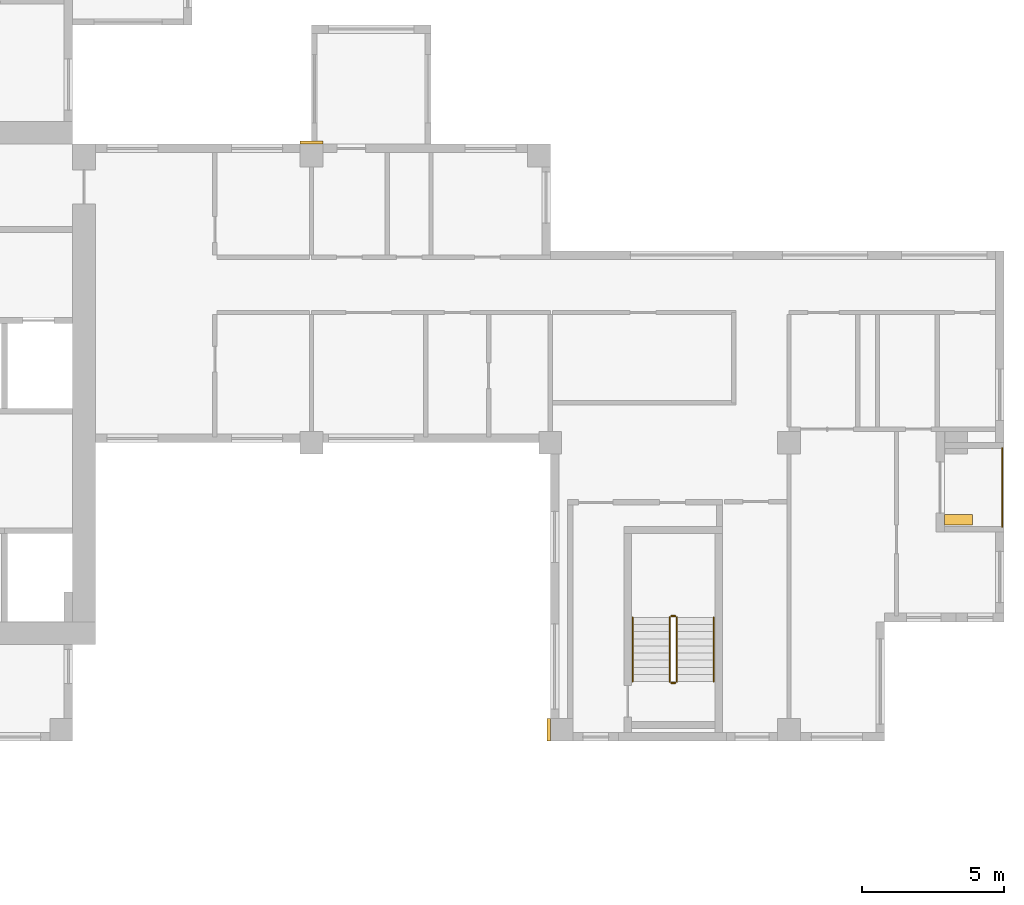
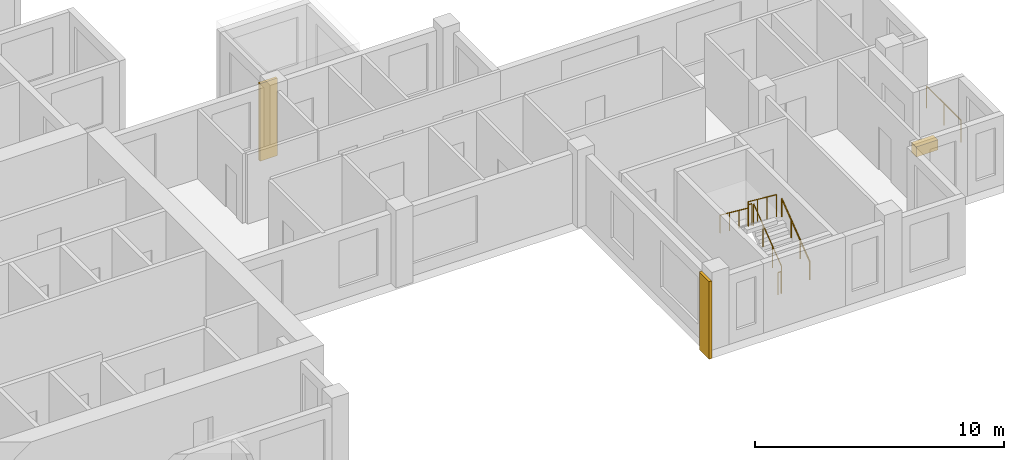
# One storey, part 10 of 11: 7 railings, 3 coverings.
"""IFC4 building model written with IfcOpenShell, lengths in metres."""

from ifc_helpers import new_model, si_unit, direction, frame, origin, origin_2d, place, context, subcontext, project, spatial, rectangle, circle, extrude, source, transform, mapped, material, type_object, element, save


model = new_model("IFC4")

# Units and contexts
model_context = context("Model", 3, precision=1e-05, world=origin(), true_north=direction((0.0, 1.0)))
body_context = subcontext(model_context, "Body", "Model", "MODEL_VIEW")
ifc_project = project(units=[si_unit("LENGTHUNIT", "METRE"), si_unit("AREAUNIT", "SQUARE_METRE"), si_unit("VOLUMEUNIT", "CUBIC_METRE"), si_unit("PLANEANGLEUNIT", "RADIAN"), si_unit("MASSUNIT", "GRAM", prefix="KILO")], contexts=[model_context])

# Site, building, storey
site_placement = place(None, origin())
site = spatial("IfcSite", under=ifc_project, at=site_placement, CompositionType="ELEMENT")
building_placement = place(site_placement, origin())
building = spatial("IfcBuilding", under=site, at=building_placement, Name="Aurelian Terraces", CompositionType="ELEMENT")
storey_placement = place(building_placement, frame((0.0, 0.0, 257.6)))
storey = spatial("IfcBuildingStorey", under=building, at=storey_placement, Name="L59", CompositionType="ELEMENT", Elevation=257.6)

# Railing
ifc_material_1 = material(Name="Anodised aluminium", Category="aluminium")
railing_type_1 = type_object("IfcRailingType", Name="GUARD-1100", PredefinedType="GUARDRAIL", material=ifc_material_1)
shared_shape_1 = source(origin(), body_context, "Body", "SweptSolid", [
    extrude(circle(Radius=0.024, at=origin_2d()), frame((0.0, 0.0, 1.076), z_axis=(0.0, 1.0, 0.0), x_axis=(-1.0, 0.0, 0.0)), (0.0, 0.0, 1.0), 2.75),
    extrude(circle(Radius=0.021, at=origin_2d()), origin(), (0.0, 0.0, 1.0), 1.052),
    extrude(circle(Radius=0.021, at=origin_2d()), frame((0.0, 1.375, 0.0)), (0.0, 0.0, 1.0), 1.052),
    extrude(circle(Radius=0.021, at=origin_2d()), frame((0.0, 2.75, 0.0)), (0.0, 0.0, 1.0), 1.052),
])
railing_1_placement = place(storey_placement, frame((53.7, 7.55, 0.05)))
element("IfcRailing", 1, at=railing_1_placement, inside=storey, type_object=railing_type_1, Name="Loggia guard L59 F08.14", PredefinedType="GUARDRAIL", context=body_context, shape_type="MappedRepresentation", body=[
    mapped(shared_shape_1, transform((0.0, 0.0, 0.0), scale=1.0)),
])

# Coverings
ifc_material_2 = material(Name="Terracotta planter with planting soil", Category="masonry")
covering_type_1 = type_object("IfcCoveringType", Name="PLANTER-TROUGH", PredefinedType="USERDEFINED", material=ifc_material_2)
shared_shape_2 = source(origin(), body_context, "Body", "SweptSolid", [
    extrude(rectangle(XDim=1.0, YDim=0.38, at=origin_2d()), origin(), (0.0, 0.0, 1.0), 0.5),
])
covering_1_placement = place(storey_placement, frame((52.16, 7.79, 0.0), z_axis=(0.0, 0.0, 1.0), x_axis=(1.0, 0.0, 0.0)))
element("IfcCovering", 2, at=covering_1_placement, inside=storey, type_object=covering_type_1, Name="PLANTER L59 L59-F08-14", ObjectType="PLANTER", PredefinedType="USERDEFINED", context=body_context, shape_type="MappedRepresentation", body=[
    mapped(shared_shape_2, transform((0.0, 0.0, 0.0), scale=1.0)),
])
ifc_material_3 = material(Name="Terracotta rainscreen cladding relief", Category="masonry")
covering_type_2 = type_object("IfcCoveringType", Name="BAGUETTE-TC", PredefinedType="CLADDING", material=ifc_material_3)
shared_shape_3 = source(origin(), body_context, "Body", "SweptSolid", [
    extrude(rectangle(XDim=0.8, YDim=0.12, at=origin_2d()), origin(), (0.0, 0.0, 1.0), 3.8),
])
covering_2_placement = place(storey_placement, frame((29.4, 21.06, -0.4), z_axis=(0.0, 0.0, 1.0), x_axis=(1.0, 0.0, 0.0)))
element("IfcCovering", 3, at=covering_2_placement, inside=storey, type_object=covering_type_2, Name="BAGUETTE pier L59 4", PredefinedType="CLADDING", context=body_context, shape_type="MappedRepresentation", body=[
    mapped(shared_shape_3, transform((0.0, 0.0, 0.0), scale=1.0)),
])
shared_shape_4 = source(origin(), body_context, "Body", "SweptSolid", [
    extrude(rectangle(XDim=0.12, YDim=0.8, at=origin_2d()), origin(), (0.0, 0.0, 1.0), 3.8),
])
covering_3_placement = place(storey_placement, frame((37.74, 0.4, -0.4), z_axis=(0.0, 0.0, 1.0), x_axis=(1.0, 0.0, 0.0)))
element("IfcCovering", 4, at=covering_3_placement, inside=storey, type_object=covering_type_2, Name="BAGUETTE pier L59 2", PredefinedType="CLADDING", context=body_context, shape_type="MappedRepresentation", body=[
    mapped(shared_shape_4, transform((0.0, 0.0, 0.0), scale=1.0)),
])

# Railings
ifc_material_4 = material(Name="Stainless steel", Category="steel")
railing_type_2 = type_object("IfcRailingType", Name="Stair guard 1100", PredefinedType="GUARDRAIL", material=ifc_material_4)
shared_shape_5 = source(origin(), body_context, "Body", "SweptSolid", [
    extrude(circle(Radius=0.024, at=origin_2d()), frame((0.0, 0.0, 1.076), z_axis=(-1.0, 0.0, 0.0), x_axis=(0.0, -1.0, 0.0)), (0.0, 0.0, 1.0), 0.15),
    extrude(circle(Radius=0.021, at=origin_2d()), origin(), (0.0, 0.0, 1.0), 1.052),
    extrude(circle(Radius=0.021, at=origin_2d()), frame((-0.15, 0.0, 0.0)), (0.0, 0.0, 1.0), 1.052),
])
for number, where, name in (
    (5, (42.2, 4.4, 1.9), "L59 S2 stair guard 2"),
    (6, (42.2, 2.05, 0.0), "L59 S2 stair guard 4"),
):
    element("IfcRailing", number, at=place(storey_placement, frame(where)), inside=storey, type_object=railing_type_2, Name=name, PredefinedType="GUARDRAIL", context=body_context, shape_type="MappedRepresentation", body=[
        mapped(shared_shape_5, transform((0.0, 0.0, 0.0), scale=1.0)),
    ])
shared_shape_6 = source(origin(), body_context, "Body", "SweptSolid", [
    extrude(circle(Radius=0.024, at=origin_2d()), frame((0.0, 0.0, 1.076), z_axis=(0.0, 0.796162194123, 0.605083267534), x_axis=(-1.0, 0.0, 0.0)), (0.0, 0.0, 1.0), 2.8261),
    extrude(circle(Radius=0.021, at=origin_2d()), origin(), (0.0, 0.0, 1.0), 1.052),
    extrude(circle(Radius=0.021, at=origin_2d()), frame((0.0, 0.75, 0.57)), (0.0, 0.0, 1.0), 1.052),
    extrude(circle(Radius=0.021, at=origin_2d()), frame((0.0, 1.5, 1.14)), (0.0, 0.0, 1.0), 1.052),
    extrude(circle(Radius=0.021, at=origin_2d()), frame((0.0, 2.25, 1.71)), (0.0, 0.0, 1.0), 1.052),
])
railing_2_placement = place(storey_placement, frame((42.25, 2.1, 0.19)))
element("IfcRailing", 7, at=railing_2_placement, inside=storey, type_object=railing_type_2, Name="L59 S2 stair guard 1", PredefinedType="GUARDRAIL", context=body_context, shape_type="MappedRepresentation", body=[
    mapped(shared_shape_6, transform((0.0, 0.0, 0.0), scale=1.0)),
])
shared_shape_7 = source(origin(), body_context, "Body", "SweptSolid", [
    extrude(circle(Radius=0.024, at=origin_2d()), frame((0.0, 0.0, 1.076), z_axis=(0.0, -0.796162194123, 0.605083267534), x_axis=(1.0, 0.0, 0.0)), (0.0, 0.0, 1.0), 2.8261),
    extrude(circle(Radius=0.021, at=origin_2d()), origin(), (0.0, 0.0, 1.0), 1.052),
    extrude(circle(Radius=0.021, at=origin_2d()), frame((0.0, -0.75, 0.57)), (0.0, 0.0, 1.0), 1.052),
    extrude(circle(Radius=0.021, at=origin_2d()), frame((0.0, -1.5, 1.14)), (0.0, 0.0, 1.0), 1.052),
    extrude(circle(Radius=0.021, at=origin_2d()), frame((0.0, -2.25, 1.71)), (0.0, 0.0, 1.0), 1.052),
])
railing_3_placement = place(storey_placement, frame((42.0, 4.35, 2.09)))
element("IfcRailing", 8, at=railing_3_placement, inside=storey, type_object=railing_type_2, Name="L59 S2 stair guard 3", PredefinedType="GUARDRAIL", context=body_context, shape_type="MappedRepresentation", body=[
    mapped(shared_shape_7, transform((0.0, 0.0, 0.0), scale=1.0)),
])
railing_type_3 = type_object("IfcRailingType", Name="Stair handrail", PredefinedType="HANDRAIL", material=ifc_material_4)
shared_shape_8 = source(origin(), body_context, "Body", "SweptSolid", [
    extrude(circle(Radius=0.024, at=origin_2d()), frame((0.0, 0.0, 0.876), z_axis=(0.0, 0.796162194123, 0.605083267534), x_axis=(-1.0, 0.0, 0.0)), (0.0, 0.0, 1.0), 2.8261),
    extrude(circle(Radius=0.021, at=origin_2d()), origin(), (0.0, 0.0, 1.0), 0.852),
    extrude(circle(Radius=0.021, at=origin_2d()), frame((0.0, 0.75, 0.57)), (0.0, 0.0, 1.0), 0.852),
    extrude(circle(Radius=0.021, at=origin_2d()), frame((0.0, 1.5, 1.14)), (0.0, 0.0, 1.0), 0.852),
    extrude(circle(Radius=0.021, at=origin_2d()), frame((0.0, 2.25, 1.71)), (0.0, 0.0, 1.0), 0.852),
])
railing_4_placement = place(storey_placement, frame((43.55, 2.1, 0.19)))
element("IfcRailing", 9, at=railing_4_placement, inside=storey, type_object=railing_type_3, Name="L59 S2 stair handrail 1", PredefinedType="HANDRAIL", context=body_context, shape_type="MappedRepresentation", body=[
    mapped(shared_shape_8, transform((0.0, 0.0, 0.0), scale=1.0)),
])
shared_shape_9 = source(origin(), body_context, "Body", "SweptSolid", [
    extrude(circle(Radius=0.024, at=origin_2d()), frame((0.0, 0.0, 0.876), z_axis=(0.0, -0.796162194123, 0.605083267534), x_axis=(1.0, 0.0, 0.0)), (0.0, 0.0, 1.0), 2.8261),
    extrude(circle(Radius=0.021, at=origin_2d()), origin(), (0.0, 0.0, 1.0), 0.852),
    extrude(circle(Radius=0.021, at=origin_2d()), frame((0.0, -0.75, 0.57)), (0.0, 0.0, 1.0), 0.852),
    extrude(circle(Radius=0.021, at=origin_2d()), frame((0.0, -1.5, 1.14)), (0.0, 0.0, 1.0), 0.852),
    extrude(circle(Radius=0.021, at=origin_2d()), frame((0.0, -2.25, 1.71)), (0.0, 0.0, 1.0), 0.852),
])
railing_5_placement = place(storey_placement, frame((40.7, 4.35, 2.09)))
element("IfcRailing", 10, at=railing_5_placement, inside=storey, type_object=railing_type_3, Name="L59 S2 stair handrail 2", PredefinedType="HANDRAIL", context=body_context, shape_type="MappedRepresentation", body=[
    mapped(shared_shape_9, transform((0.0, 0.0, 0.0), scale=1.0)),
])

save(model, "model.ifc")
